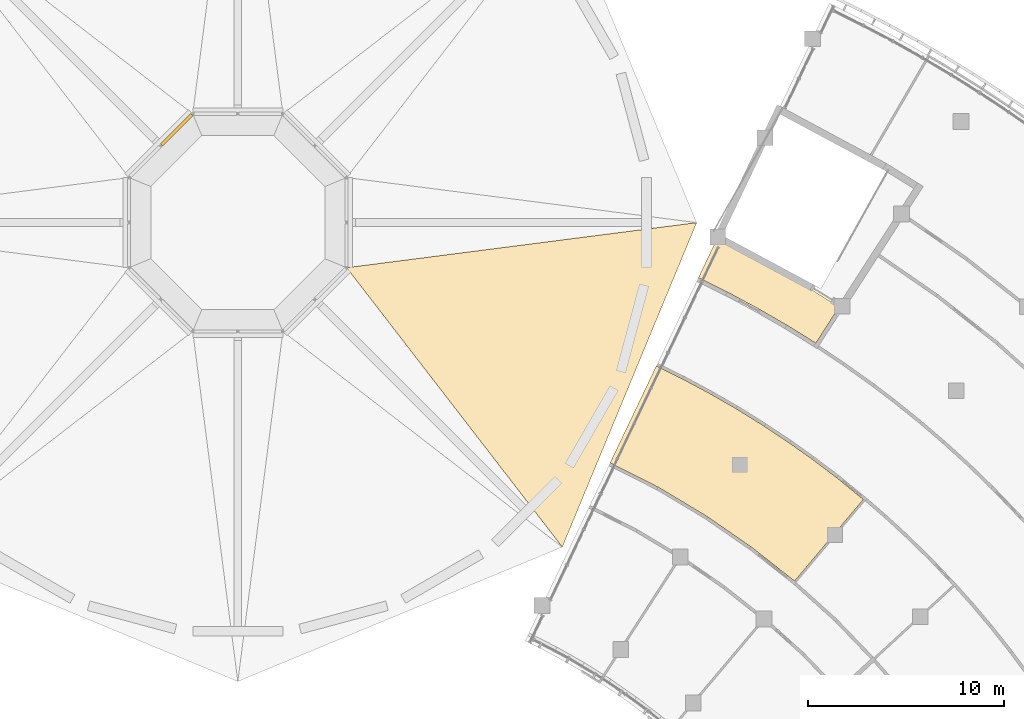
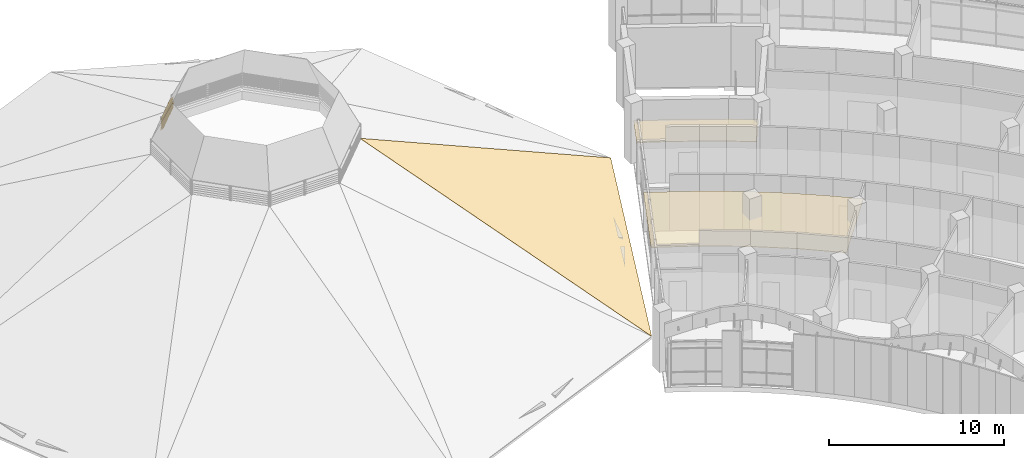
# One storey, part 119 of 137: 6 shading devices, 3 coverings.
"""IFC4 building model written with IfcOpenShell, lengths in metres."""

from ifc_helpers import new_model, si_unit, direction, frame, origin, origin_2d, place, context, subcontext, project, spatial, polyline, rectangle, outline, extrude, material, layer, layer_set, material_profile, profile_set, type_object, element, save


model = new_model("IFC4")

# Units and contexts
model_context = context("Model", 3, precision=1e-05, world=origin(), true_north=direction((0.0, 1.0)))
body_context = subcontext(model_context, "Body", "Model", "MODEL_VIEW")
ifc_project = project(units=[si_unit("LENGTHUNIT", "METRE"), si_unit("AREAUNIT", "SQUARE_METRE"), si_unit("VOLUMEUNIT", "CUBIC_METRE"), si_unit("PLANEANGLEUNIT", "RADIAN"), si_unit("MASSUNIT", "GRAM", prefix="KILO")], contexts=[model_context])

# Site, building, storey
site_placement = place(None, origin())
site = spatial("IfcSite", under=ifc_project, at=site_placement, CompositionType="ELEMENT")
building_placement = place(site_placement, origin())
building = spatial("IfcBuilding", under=site, at=building_placement, Name="Bougainvillea Quay General Hospital", CompositionType="ELEMENT")
storey_placement = place(building_placement, frame((0.0, 0.0, 16.800048828125)))
storey = spatial("IfcBuildingStorey", under=building, at=storey_placement, Name="L03", CompositionType="ELEMENT", Elevation=16.800048828125)

# Covering
ifc_material_1 = material(Name="Standing seam zinc-titanium roofing, grey")
ifc_layer_1 = layer(ifc_material_1, 0.0400390625)
ifc_layer_set_1 = layer_set([ifc_layer_1], Name="Standing seam zinc-titanium roofing, grey")
covering_type_1 = type_object("IfcCoveringType", Name="Standing seam metal roofing RP1 40", PredefinedType="ROOFING", material=ifc_layer_set_1)
covering_1_placement = place(storey_placement, frame((114.742919921875, 71.7041015625, 9.0), z_axis=(0.461666102228, -0.191238782655, 0.866194053352), x_axis=(0.546436851628, -0.707899830159, -0.447531672223)))
element("IfcCovering", 1, at=covering_1_placement, inside=storey, type_object=covering_type_1, Name="Roof covering RP115", PredefinedType="ROOFING", context=body_context, shape_type="SweptSolid", body=[
    extrude(outline(polyline([(0.0, 0.0), (20.110308518042036, 4.440892098500626e-16), (12.149399506551218, 16.025837077321036), (0.0, 0.0)])), origin(), (0.447531672223, 0.222313437054, -0.866194053352), 0.0400390625),
])

# Shading devices
ifc_material_2 = material(Name="Extruded aluminium storm louvre blade, powder-coated grey", Category="aluminium")
ifc_material_profile = material_profile(ifc_material_2, rectangle(XDim=0.219970703125, YDim=0.014892578125, at=origin_2d()))
ifc_profile_set = profile_set([ifc_material_profile], Name="Extruded aluminium storm louvre blade, powder-coated grey")
shading_device_type = type_object("IfcShadingDeviceType", Name="Storm louvre blade 220", PredefinedType="JALOUSIE", material=ifc_profile_set)
for number, where, z_axis, x_axis, name in (
    (2, (106.861572265625, 79.50048828125, 9.142822265625), (-0.707106781187, -0.707106781187, 0.0), (0.5, -0.5, 0.707106781187), "Storm louvre blade V04.1"),
    (3, (106.861572265625, 79.50048828125, 9.28564453125), (-0.707106781187, -0.707106781187, 0.0), (0.5, -0.5, 0.707106781187), "Storm louvre blade V04.2"),
    (4, (106.861572265625, 79.50048828125, 9.428466796875), (-0.707106781187, -0.707106781187, 0.0), (0.5, -0.5, 0.707106781187), "Storm louvre blade V04.3"),
    (5, (106.861572265625, 79.50048828125, 9.5712890625), (-0.707106781187, -0.707106781187, 0.0), (0.5, -0.5, 0.707106781187), "Storm louvre blade V04.4"),
    (6, (106.861572265625, 79.50048828125, 9.71435546875), (-0.707106781187, -0.707106781187, 0.0), (0.5, -0.5, 0.707106781187), "Storm louvre blade V04.5"),
    (7, (106.861572265625, 79.50048828125, 9.857177734375), (-0.707106781187, -0.707106781187, 0.0), (0.5, -0.5, 0.707106781187), "Storm louvre blade V04.6"),
):
    element("IfcShadingDevice", number, at=place(storey_placement, frame(where, z_axis=z_axis, x_axis=x_axis)), inside=storey, type_object=shading_device_type, Name=name, PredefinedType="JALOUSIE", context=body_context, shape_type="SweptSolid", body=[
        extrude(rectangle(XDim=0.219970703125, YDim=0.014892578125, at=origin_2d()), origin(), (0.0, 0.0, 1.0), 2.17578125),
    ])

# Coverings
ifc_material_3 = material(Name="Mineral fibre ceiling tile")
ifc_layer_2 = layer(ifc_material_3, 0.030029296875)
ifc_layer_set_2 = layer_set([ifc_layer_2], Name="Mineral fibre ceiling tile")
covering_type_2 = type_object("IfcCoveringType", Name="Suspended ceiling mineral fibre tile", PredefinedType="CEILING", material=ifc_layer_set_2)
covering_2_placement = place(storey_placement, frame((0.0, 0.0, 2.699951171875)))
element("IfcCovering", 8, at=covering_2_placement, inside=storey, type_object=covering_type_2, Name="Ceiling Smoke-proof Vestibule ST-E1", PredefinedType="CEILING", context=body_context, shape_type="SweptSolid", body=[
    extrude(outline(polyline([(132.6201171875, 71.10107421875), (132.66455078125, 71.190673828125), (134.1318359375, 70.461669921875), (134.13330078125, 70.46435546875), (134.219970703125, 70.417724609375), (134.30810546875, 70.3740234375), (134.306640625, 70.371337890625), (135.6650390625, 69.640869140625), (135.66650390625, 69.6435546875), (135.751708984375, 69.59423828125), (135.83837890625, 69.547607421875), (135.8369140625, 69.544921875), (137.171142578125, 68.77294921875), (137.1728515625, 68.775634765625), (137.25634765625, 68.723876953125), (137.341552734375, 68.674560546875), (137.340087890625, 68.671630859375), (138.648193359375, 67.85791015625), (139.83984375, 69.706787109375), (138.3896484375, 70.609130859375), (136.8232421875, 71.515625), (135.22998046875, 72.3720703125), (133.60986328125, 73.1767578125), (132.6201171875, 71.10107421875)])), origin(), (0.0, 0.0, 1.0), 0.030029296875),
])
covering_3_placement = place(storey_placement, frame((0.0, 0.0, 2.699951171875)))
element("IfcCovering", 9, at=covering_3_placement, inside=storey, type_object=covering_type_2, Name="Ceiling Clinical Skills Waiting Hall 03E101", PredefinedType="CEILING", context=body_context, shape_type="SweptSolid", body=[
    extrude(outline(polyline([(128.132080078125, 61.69189453125), (128.165771484375, 61.759033203125), (130.607666015625, 60.5234375), (130.6103515625, 60.52783203125), (130.67236328125, 60.49072265625), (130.73681640625, 60.4580078125), (130.734375, 60.453369140625), (133.021240234375, 59.08056640625), (133.02392578125, 59.084228515625), (133.083740234375, 59.04296875), (133.14599609375, 59.005615234375), (133.1435546875, 59.001708984375), (135.336669921875, 57.48583984375), (135.339599609375, 57.4892578125), (135.396484375, 57.4443359375), (135.456298828125, 57.403076171875), (135.45361328125, 57.399169921875), (137.54736328125, 55.747314453125), (137.55029296875, 55.7509765625), (137.567138671875, 55.73583984375), (141.073974609375, 59.897216796875), (139.76171875, 60.968017578125), (138.521484375, 61.90966796875), (137.25341796875, 62.811279296875), (135.95751953125, 63.6728515625), (134.634521484375, 64.49365234375), (133.28662109375, 65.2724609375), (131.91455078125, 66.00830078125), (130.520751953125, 66.7001953125), (128.132080078125, 61.69189453125)])), origin(), (0.0, 0.0, 1.0), 0.030029296875),
])

save(model, "model.ifc")
